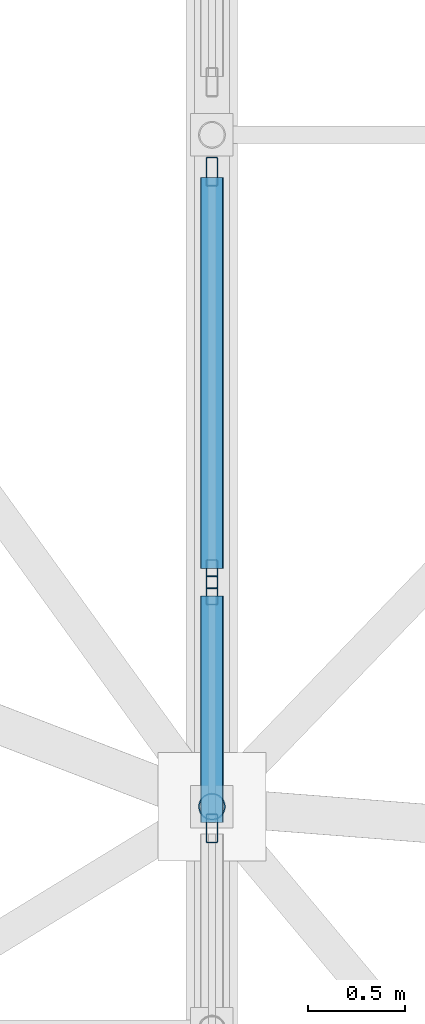
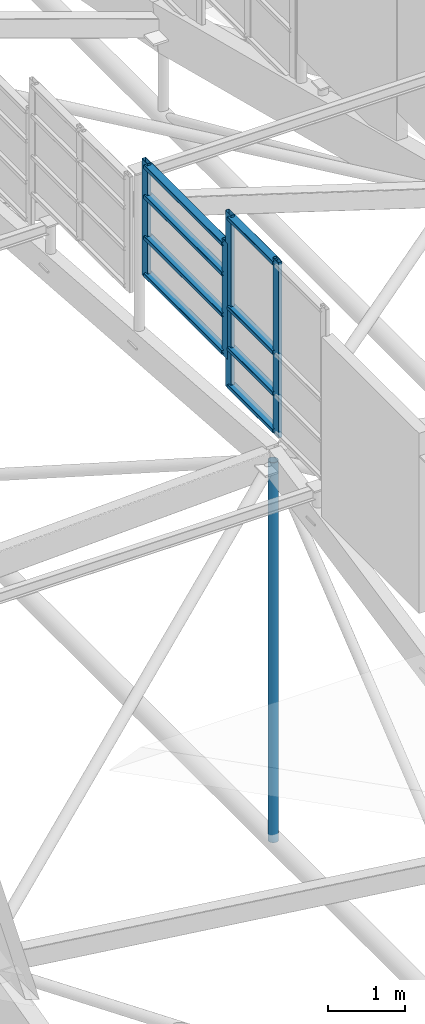
# One storey, part 42 of 188: 13 members, 2 elements without a shape of their own.
"""IFC4 building model written with IfcOpenShell, lengths in metres."""

from ifc_helpers import new_model, si_unit, direction, frame, origin, origin_2d, place, context, subcontext, project, spatial, hollow_rectangle, hollow_circle, extrude, material, layer, layer_set, material_profile, profile_set, type_object, element, aggregate, save


model = new_model("IFC4")

# Units and contexts
model_context = context("Model", 3, precision=1e-05, world=origin(), true_north=direction((0.0, 1.0)))
body_context = subcontext(model_context, "Body", "Model", "MODEL_VIEW")
ifc_project = project(units=[si_unit("LENGTHUNIT", "METRE"), si_unit("AREAUNIT", "SQUARE_METRE"), si_unit("VOLUMEUNIT", "CUBIC_METRE"), si_unit("PLANEANGLEUNIT", "RADIAN"), si_unit("MASSUNIT", "GRAM", prefix="KILO")], contexts=[model_context])

# Site, building, storey
site_placement = place(None, origin())
site = spatial("IfcSite", under=ifc_project, at=site_placement, CompositionType="ELEMENT")
building_placement = place(site_placement, origin())
building = spatial("IfcBuilding", under=site, at=building_placement, Name="Kisaragi Civic Commons", CompositionType="ELEMENT")
storey_placement = place(building_placement, frame((0.0, 0.0, 9.60009765625)))
storey = spatial("IfcBuildingStorey", under=building, at=storey_placement, Name="L02", CompositionType="ELEMENT", Elevation=9.60009765625)

# Curtain wall, members
ifc_material_1 = material(Name="Thermally broken anodized aluminium and low-E double glazing", Category="aluminium")
ifc_layer = layer(ifc_material_1, 0.14990234375, Name="Thermally broken anodized aluminium and low-E double glazing", Category="aluminium")
ifc_layer_set = layer_set([ifc_layer], Name="Thermally broken anodized aluminium and low-E double glazing")
curtain_wall_type = type_object("IfcCurtainWallType", Name="CW-03", PredefinedType="NOTDEFINED", material=ifc_layer_set)
curtain_wall_1_placement = place(storey_placement, origin())
curtain_wall_1 = element("IfcCurtainWall", 1, at=curtain_wall_1_placement, inside=storey, type_object=curtain_wall_type, Name="L02 curtain wall CW-03 CW-CL-V1-142", PredefinedType="NOTDEFINED")
ifc_material_profile_1 = material_profile(ifc_material_1, hollow_rectangle(XDim=0.06005859375, YDim=0.14990234375, WallThickness=0.00390625, InnerFilletRadius=0.00390625, OuterFilletRadius=0.008056640625, at=origin_2d()), Name="CWM-60x150x4", Category="aluminium")
ifc_profile_set_1 = profile_set([ifc_material_profile_1], Name="Thermally broken anodized aluminium and low-E double glazing")
member_type_1 = type_object("IfcMemberType", Name="CWM-01", PredefinedType="MULLION", material=ifc_profile_set_1)
member_1_placement = place(storey_placement, frame((13.60009765625, 32.50830078125, 5.783203125), z_axis=(0.0, 0.0, 1.0), x_axis=(-1.0, 0.0, 0.0)))
member_1 = element("IfcMember", 2, at=member_1_placement, type_object=member_type_1, Name="CW-03 mullion 2", PredefinedType="MULLION", context=body_context, shape_type="SweptSolid", body=[
    extrude(hollow_rectangle(XDim=0.06005859375, YDim=0.14990234375, WallThickness=0.00390625, InnerFilletRadius=0.00390625, OuterFilletRadius=0.008056640625, at=origin_2d()), origin(), (0.0, 0.0, 1.0), 2.77392578125),
])
member_2_placement = place(storey_placement, frame((13.60009765625, 33.738525390625, 5.783203125), z_axis=(0.0, 0.0, 1.0), x_axis=(-1.0, 0.0, 0.0)))
member_2 = element("IfcMember", 3, at=member_2_placement, type_object=member_type_1, Name="CW-03 mullion 3", PredefinedType="MULLION", context=body_context, shape_type="SweptSolid", body=[
    extrude(hollow_rectangle(XDim=0.06005859375, YDim=0.14990234375, WallThickness=0.00390625, InnerFilletRadius=0.00390625, OuterFilletRadius=0.008056640625, at=origin_2d()), origin(), (0.0, 0.0, 1.0), 2.77392578125),
])

curtain_wall_2_placement = place(storey_placement, origin())
curtain_wall_2 = element("IfcCurtainWall", 4, at=curtain_wall_2_placement, inside=storey, type_object=curtain_wall_type, Name="L02 curtain wall CW-03 CW-CL-V1-143", PredefinedType="NOTDEFINED")
member_3_placement = place(storey_placement, frame((13.60009765625, 33.822509765625, 6.229248046875), z_axis=(0.0, 0.0, 1.0), x_axis=(-1.0, 0.0, 0.0)))
member_3 = element("IfcMember", 5, at=member_3_placement, type_object=member_type_1, Name="CW-03 mullion 1", PredefinedType="MULLION", context=body_context, shape_type="SweptSolid", body=[
    extrude(hollow_rectangle(XDim=0.06005859375, YDim=0.14990234375, WallThickness=0.00390625, InnerFilletRadius=0.00390625, OuterFilletRadius=0.008056640625, at=origin_2d()), origin(), (0.0, 0.0, 1.0), 1.833251953125),
])
member_4_placement = place(storey_placement, frame((13.60009765625, 35.904052734375, 6.229248046875), z_axis=(0.0, 0.0, 1.0), x_axis=(-1.0, 0.0, 0.0)))
member_4 = element("IfcMember", 6, at=member_4_placement, type_object=member_type_1, Name="CW-03 mullion 2", PredefinedType="MULLION", context=body_context, shape_type="SweptSolid", body=[
    extrude(hollow_rectangle(XDim=0.06005859375, YDim=0.14990234375, WallThickness=0.00390625, InnerFilletRadius=0.00390625, OuterFilletRadius=0.008056640625, at=origin_2d()), origin(), (0.0, 0.0, 1.0), 1.833251953125),
])

# Member
ifc_material_profile_2 = material_profile(ifc_material_1, hollow_rectangle(XDim=0.1201171875, YDim=0.06005859375, WallThickness=0.00390625, InnerFilletRadius=0.00390625, OuterFilletRadius=0.008056640625, at=origin_2d()), Name="CWT-60x120x4", Category="aluminium")
ifc_profile_set_2 = profile_set([ifc_material_profile_2], Name="Thermally broken anodized aluminium and low-E double glazing")
member_type_2 = type_object("IfcMemberType", Name="CWT-01", PredefinedType="USERDEFINED", material=ifc_profile_set_2)
member_5_placement = place(storey_placement, frame((13.60009765625, 32.538330078125, 5.843017578125), z_axis=(0.0, 1.0, 0.0), x_axis=(-1.0, 0.0, 0.0)))
member_5 = element("IfcMember", 7, at=member_5_placement, type_object=member_type_2, Name="CW-03 transom 2.1", ObjectType="TRANSOM", PredefinedType="USERDEFINED", context=body_context, shape_type="SweptSolid", body=[
    extrude(hollow_rectangle(XDim=0.1201171875, YDim=0.06005859375, WallThickness=0.00390625, InnerFilletRadius=0.00390625, OuterFilletRadius=0.008056640625, at=origin_2d()), origin(), (0.0, 0.0, 1.0), 1.170166015625),
])

member_6_placement = place(storey_placement, frame((13.60009765625, 32.538330078125, 6.43310546875), z_axis=(0.0, 1.0, 0.0), x_axis=(-1.0, 0.0, 0.0)))
member_6 = element("IfcMember", 8, at=member_6_placement, type_object=member_type_2, Name="CW-03 transom 2.2", ObjectType="TRANSOM", PredefinedType="USERDEFINED", context=body_context, shape_type="SweptSolid", body=[
    extrude(hollow_rectangle(XDim=0.1201171875, YDim=0.06005859375, WallThickness=0.00390625, InnerFilletRadius=0.00390625, OuterFilletRadius=0.008056640625, at=origin_2d()), origin(), (0.0, 0.0, 1.0), 1.170166015625),
])

member_7_placement = place(storey_placement, frame((13.60009765625, 32.538330078125, 7.0830078125), z_axis=(0.0, 1.0, 0.0), x_axis=(-1.0, 0.0, 0.0)))
member_7 = element("IfcMember", 9, at=member_7_placement, type_object=member_type_2, Name="CW-03 transom 2.3", ObjectType="TRANSOM", PredefinedType="USERDEFINED", context=body_context, shape_type="SweptSolid", body=[
    extrude(hollow_rectangle(XDim=0.1201171875, YDim=0.06005859375, WallThickness=0.00390625, InnerFilletRadius=0.00390625, OuterFilletRadius=0.008056640625, at=origin_2d()), origin(), (0.0, 0.0, 1.0), 1.170166015625),
])

member_8_placement = place(storey_placement, frame((13.60009765625, 32.538330078125, 8.497314453125), z_axis=(0.0, 1.0, 0.0), x_axis=(-1.0, 0.0, 0.0)))
member_8 = element("IfcMember", 10, at=member_8_placement, type_object=member_type_2, Name="CW-03 transom 2.4", ObjectType="TRANSOM", PredefinedType="USERDEFINED", context=body_context, shape_type="SweptSolid", body=[
    extrude(hollow_rectangle(XDim=0.1201171875, YDim=0.06005859375, WallThickness=0.00390625, InnerFilletRadius=0.00390625, OuterFilletRadius=0.008056640625, at=origin_2d()), origin(), (0.0, 0.0, 1.0), 1.170166015625),
])

aggregate(curtain_wall_1, [member_1, member_2, member_5, member_6, member_7, member_8])

member_9_placement = place(storey_placement, frame((13.60009765625, 33.8525390625, 6.289306640625), z_axis=(0.0, 1.0, 0.0), x_axis=(-1.0, 0.0, 0.0)))
member_9 = element("IfcMember", 11, at=member_9_placement, type_object=member_type_2, Name="CW-03 transom 1.1", ObjectType="TRANSOM", PredefinedType="USERDEFINED", context=body_context, shape_type="SweptSolid", body=[
    extrude(hollow_rectangle(XDim=0.1201171875, YDim=0.06005859375, WallThickness=0.00390625, InnerFilletRadius=0.00390625, OuterFilletRadius=0.008056640625, at=origin_2d()), origin(), (0.0, 0.0, 1.0), 2.021484375),
])

member_10_placement = place(storey_placement, frame((13.60009765625, 33.8525390625, 6.879150390625), z_axis=(0.0, 1.0, 0.0), x_axis=(-1.0, 0.0, 0.0)))
member_10 = element("IfcMember", 12, at=member_10_placement, type_object=member_type_2, Name="CW-03 transom 1.2", ObjectType="TRANSOM", PredefinedType="USERDEFINED", context=body_context, shape_type="SweptSolid", body=[
    extrude(hollow_rectangle(XDim=0.1201171875, YDim=0.06005859375, WallThickness=0.00390625, InnerFilletRadius=0.00390625, OuterFilletRadius=0.008056640625, at=origin_2d()), origin(), (0.0, 0.0, 1.0), 2.021484375),
])

member_11_placement = place(storey_placement, frame((13.60009765625, 33.8525390625, 7.529296875), z_axis=(0.0, 1.0, 0.0), x_axis=(-1.0, 0.0, 0.0)))
member_11 = element("IfcMember", 13, at=member_11_placement, type_object=member_type_2, Name="CW-03 transom 1.3", ObjectType="TRANSOM", PredefinedType="USERDEFINED", context=body_context, shape_type="SweptSolid", body=[
    extrude(hollow_rectangle(XDim=0.1201171875, YDim=0.06005859375, WallThickness=0.00390625, InnerFilletRadius=0.00390625, OuterFilletRadius=0.008056640625, at=origin_2d()), origin(), (0.0, 0.0, 1.0), 2.021484375),
])

member_12_placement = place(storey_placement, frame((13.60009765625, 33.8525390625, 8.002685546875), z_axis=(0.0, 1.0, 0.0), x_axis=(-1.0, 0.0, 0.0)))
member_12 = element("IfcMember", 14, at=member_12_placement, type_object=member_type_2, Name="CW-03 transom 1.4", ObjectType="TRANSOM", PredefinedType="USERDEFINED", context=body_context, shape_type="SweptSolid", body=[
    extrude(hollow_rectangle(XDim=0.1201171875, YDim=0.06005859375, WallThickness=0.00390625, InnerFilletRadius=0.00390625, OuterFilletRadius=0.008056640625, at=origin_2d()), origin(), (0.0, 0.0, 1.0), 2.021484375),
])

aggregate(curtain_wall_2, [member_3, member_4, member_9, member_10, member_11, member_12])

ifc_material_2 = material(Name="Steel SN490 (SN490B)", Category="steel")
ifc_material_profile_3 = material_profile(ifc_material_2, hollow_circle(Radius=0.06982421875, WallThickness=0.006103515625, at=origin_2d()), Name="CHS-139.8x6.0", Category="steel")
ifc_profile_set_3 = profile_set([ifc_material_profile_3], Name="Steel SN490 (SN490B)")
member_type_3 = type_object("IfcMemberType", Name="ST-H1", PredefinedType="STRUT", material=ifc_profile_set_3)
member_13_placement = place(storey_placement, frame((13.60009765625, 32.620361328125, -0.691162109375), z_axis=(0.0, 0.0, 1.0), x_axis=(1.0, 0.0, 0.0)))
element("IfcMember", 15, at=member_13_placement, inside=storey, type_object=member_type_3, Name="V1 arch tie hanger strut 33", PredefinedType="STRUT", context=body_context, shape_type="SweptSolid", body=[
    extrude(hollow_circle(Radius=0.06982421875, WallThickness=0.006103515625, at=origin_2d()), origin(), (0.0, 0.0, 1.0), 6.01025390625),
])

save(model, "model.ifc")
